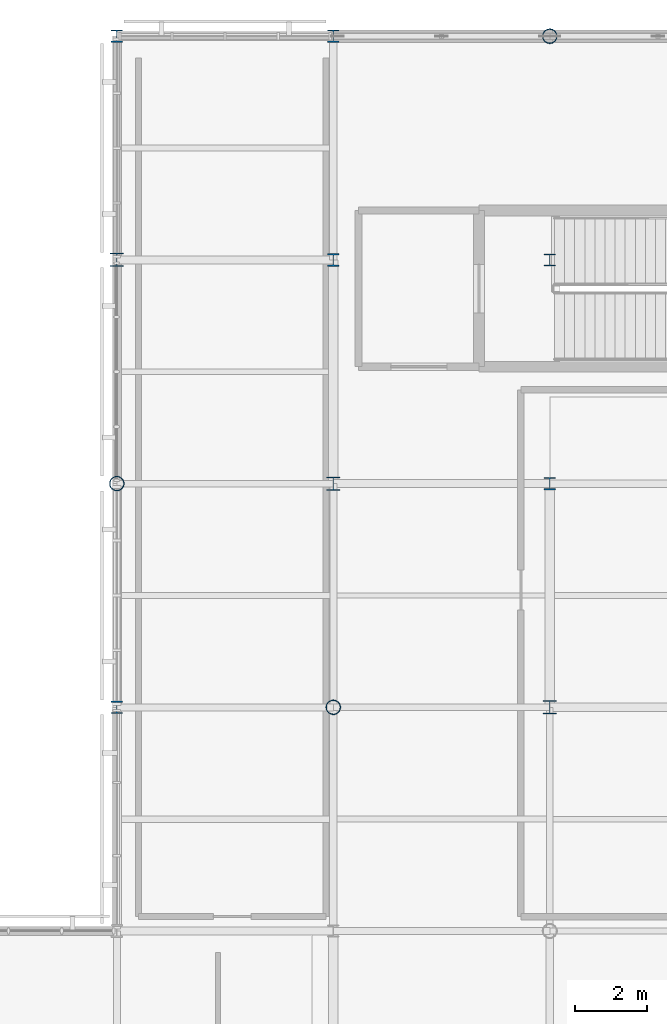
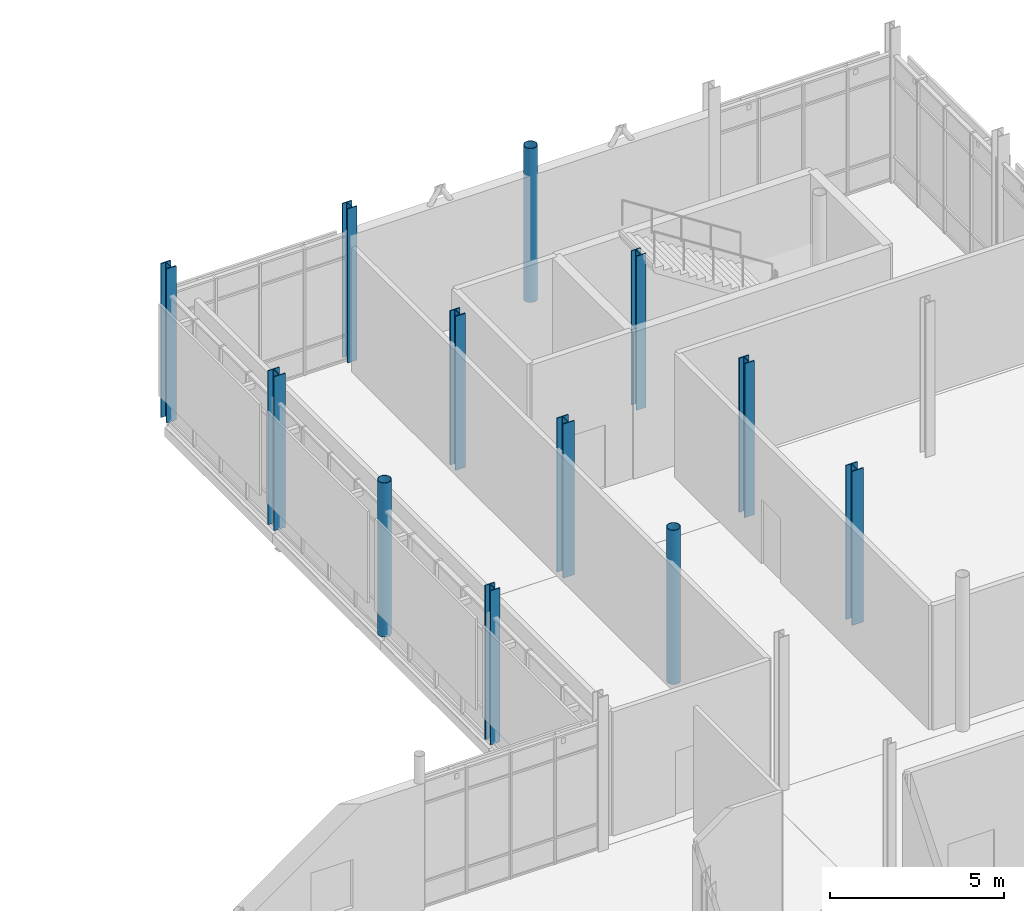
# One storey, part 12 of 105: 12 columns.
"""IFC4 building model written with IfcOpenShell, lengths in metres."""

import ifcopenshell
import ifcopenshell.guid

model = None  # the IFC model being written
_history = None  # IfcOwnerHistory: only IFC2X3 demands one
_inside = {}  # id of a spatial element -> (the spatial element, [elements in it])
_under = {}  # id of a project, library or spatial element -> (it, [spatial elements below it])
_declared = {}  # id of a project -> (the project, [libraries it declares])
_typed = {}  # id of a type object -> (the type object, [elements of that type])
_made_of = {}  # id of a material, layer set ... -> (it, [elements and type objects made of it])


def new_model(schema):
    """Start an empty IFC model of exactly this schema.

    Asked for "IFC4X3", IfcOpenShell would pick the latest addendum, in which some entities
    have other attributes; the version numbers below select the first issue.
    IFC2X3 requires an IfcOwnerHistory on every rooted entity: one is made here for all.
    """
    global model, _history
    if schema == "IFC4X3":
        model = ifcopenshell.file(schema_version=(4, 3, 0, 0))
    else:
        model = ifcopenshell.file(schema=schema)
    _inside.clear()
    _under.clear()
    _declared.clear()
    _typed.clear()
    _made_of.clear()
    _history = None
    if model.schema == "IFC2X3":
        org = make("IfcOrganization", Name="unknown")
        user = make(
            "IfcPersonAndOrganization",
            ThePerson=make("IfcPerson", FamilyName="unknown"),
            TheOrganization=org,
        )
        app = make(
            "IfcApplication",
            ApplicationDeveloper=org,
            Version="unknown",
            ApplicationFullName="unknown",
            ApplicationIdentifier="unknown",
        )
        _history = make(
            "IfcOwnerHistory",
            OwningUser=user,
            OwningApplication=app,
            ChangeAction="ADDED",
            CreationDate=0,
        )
    return model


def make(cls, **values):
    """One entity of the class cls with the attributes given. An attribute that is None is left unset."""
    return model.create_entity(
        cls, **{name: value for name, value in values.items() if value is not None}
    )


def rooted(cls, **values):
    """An entity with a GlobalId (a new one), such as an element, a storey or a relation."""
    return make(cls, GlobalId=ifcopenshell.guid.new(), OwnerHistory=_history, **values)


def si_unit(unit_type, name, prefix=None):
    """IfcSIUnit, for example si_unit("LENGTHUNIT", "METRE", prefix="MILLI")."""
    return make("IfcSIUnit", UnitType=unit_type, Prefix=prefix, Name=name)


def assignment(units):
    """IfcUnitAssignment: the units of a project."""
    return None if units is None else make("IfcUnitAssignment", Units=units)


def point(xyz):
    """IfcCartesianPoint."""
    return None if xyz is None else make("IfcCartesianPoint", Coordinates=xyz)


def direction(xyz):
    """IfcDirection."""
    return None if xyz is None else make("IfcDirection", DirectionRatios=xyz)


def frame(location, z_axis=None, x_axis=None):
    """IfcAxis2Placement3D, a coordinate frame: its origin and axes. An axis left out is left unset."""
    return make(
        "IfcAxis2Placement3D",
        Location=point(location),
        Axis=direction(z_axis),
        RefDirection=direction(x_axis),
    )


def frame_2d(location, x_axis=None):
    """IfcAxis2Placement2D, a coordinate frame in the plane: its origin and x axis."""
    return make(
        "IfcAxis2Placement2D", Location=point(location), RefDirection=direction(x_axis)
    )


def origin():
    """The frame at (0, 0, 0) with its axes left unset."""
    return frame((0.0, 0.0, 0.0))


def origin_2d():
    """The frame at (0, 0) in the plane with its x axis left unset."""
    return frame_2d((0.0, 0.0))


def place(relative_to, where):
    """IfcLocalPlacement: puts the frame where relative to a parent placement (None: the world)."""
    return make(
        "IfcLocalPlacement", PlacementRelTo=relative_to, RelativePlacement=where
    )


def context(
    kind, dimensions, precision=None, world=None, true_north=None, identifier=None
):
    """IfcGeometricRepresentationContext, for example the 3D "Model" context."""
    return make(
        "IfcGeometricRepresentationContext",
        ContextIdentifier=identifier,
        ContextType=kind,
        CoordinateSpaceDimension=dimensions,
        Precision=precision,
        WorldCoordinateSystem=world,
        TrueNorth=true_north,
    )


def subcontext(parent, identifier, kind, view, scale=None):
    """IfcGeometricRepresentationSubContext, for example "Body" below "Model"."""
    return make(
        "IfcGeometricRepresentationSubContext",
        ContextIdentifier=identifier,
        ContextType=kind,
        ParentContext=parent,
        TargetScale=scale,
        TargetView=view,
    )


def project(units=None, contexts=None):
    """IfcProject with its units and contexts."""
    return rooted(
        "IfcProject",
        Name="project",
        RepresentationContexts=contexts,
        UnitsInContext=assignment(units),
    )


def spatial(cls, under=None, at=None, **own):
    """A site, building, storey or space (cls), placed at a placement, below another one or the project."""
    s = rooted(cls, ObjectPlacement=at, **own)
    if under is not None:
        _under.setdefault(under.id(), (under, []))[1].append(s)
    return s


def profile(cls, at=None, kind="AREA", **sizes):
    """A parametric profile (cls). Its sizes go by their IFC names, for example OverallWidth=200.0."""
    return make(cls, ProfileType=kind, Position=at, **sizes)


def hollow_circle(**sizes):
    """IfcCircleHollowProfileDef."""
    return profile("IfcCircleHollowProfileDef", **sizes)


def i_section(**sizes):
    """IfcIShapeProfileDef."""
    return profile("IfcIShapeProfileDef", **sizes)


def extrude(swept, where, along, depth):
    """IfcExtrudedAreaSolid: the profile swept, set in the frame where, extruded along a direction by depth."""
    return make(
        "IfcExtrudedAreaSolid",
        SweptArea=swept,
        Position=where,
        ExtrudedDirection=direction(along),
        Depth=depth,
    )


def shape(context_of_items, identifier, shape_type, items):
    """IfcShapeRepresentation: the items that make up one representation, for example the "Body"."""
    return make(
        "IfcShapeRepresentation",
        ContextOfItems=context_of_items,
        RepresentationIdentifier=identifier,
        RepresentationType=shape_type,
        Items=items,
    )


def material(Name=None, Category=None):
    """IfcMaterial."""
    return make("IfcMaterial", Name=Name, Category=Category)


def material_profile(
    of_material, cross_section, Name=None, Category=None, Priority=None
):
    """IfcMaterialProfile: a cross section and its material."""
    return make(
        "IfcMaterialProfile",
        Name=Name,
        Material=of_material,
        Profile=cross_section,
        Priority=Priority,
        Category=Category,
    )


def profile_set(profiles, Name=None, composite=None):
    """IfcMaterialProfileSet."""
    return make(
        "IfcMaterialProfileSet",
        Name=Name,
        MaterialProfiles=profiles,
        CompositeProfile=composite,
    )


def made_of(thing, what):
    """Note that an element or type object is made of a material, layer set ...; save() writes the relation."""
    if what is not None:
        _made_of.setdefault(what.id(), (what, []))[1].append(thing)
    return thing


def type_object(cls, material=None, **own):
    """A type object (cls), such as IfcWallType, which elements share."""
    return made_of(rooted(cls, **own), material)


def element(
    cls,
    number,
    at=None,
    inside=None,
    cuts=None,
    type_object=None,
    material=None,
    context=None,
    identifier="Body",
    shape_type=None,
    held_by="IfcProductDefinitionShape",
    body=None,
    shapes=None,
    **own,
):
    """One element of the class cls, such as IfcWall. Its Tag is "e" and its number.

    at: its placement. inside: the storey or other place that contains it. cuts: it is an
    opening in that element (IfcRelVoidsElement). A single representation is given by context,
    identifier, shape_type and body (its items); several are given by shapes. held_by: the class
    of the entity that holds the representations. save() writes the other relations.
    """
    e = rooted(cls, Tag="e%d" % number, ObjectPlacement=at, **own)
    if body is not None:
        shapes = [shape(context, identifier, shape_type, body)]
    if shapes is not None:
        e.Representation = make(held_by, Representations=shapes)
    if inside is not None:
        _inside.setdefault(inside.id(), (inside, []))[1].append(e)
    if cuts is not None:
        rooted(
            "IfcRelVoidsElement", RelatingBuildingElement=cuts, RelatedOpeningElement=e
        )
    if type_object is not None:
        _typed.setdefault(type_object.id(), (type_object, []))[1].append(e)
    return made_of(e, material)


def aggregate(whole, parts):
    """IfcRelAggregates: a whole, such as a stair, and the parts it consists of."""
    return rooted("IfcRelAggregates", RelatingObject=whole, RelatedObjects=parts)


def save(model, path):
    """Write the relations noted so far, then the file.

    IfcRelAggregates (storeys below a building ...), IfcRelContainedInSpatialStructure (elements
    in a storey), IfcRelDefinesByType, IfcRelAssociatesMaterial and IfcRelDeclares: one each for
    every whole, place, type object, material and project.
    """
    for whole, parts in _under.values():
        aggregate(whole, parts)
    for where, things in _inside.values():
        rooted(
            "IfcRelContainedInSpatialStructure",
            RelatedElements=things,
            RelatingStructure=where,
        )
    for kind, things in _typed.values():
        rooted("IfcRelDefinesByType", RelatedObjects=things, RelatingType=kind)
    for what, things in _made_of.values():
        rooted("IfcRelAssociatesMaterial", RelatedObjects=things, RelatingMaterial=what)
    for by, libraries in _declared.values():
        rooted("IfcRelDeclares", RelatingContext=by, RelatedDefinitions=libraries)
    model.write(path)


model = new_model("IFC4")

# Units and contexts
model_context = context("Model", 3, precision=1e-05, world=origin(), true_north=direction((0.0, 1.0)))
body_context = subcontext(model_context, "Body", "Model", "MODEL_VIEW")
ifc_project = project(units=[si_unit("LENGTHUNIT", "METRE"), si_unit("AREAUNIT", "SQUARE_METRE"), si_unit("VOLUMEUNIT", "CUBIC_METRE"), si_unit("PLANEANGLEUNIT", "RADIAN"), si_unit("MASSUNIT", "GRAM", prefix="KILO")], contexts=[model_context])

# Site, building, storey
site_placement = place(None, origin())
site = spatial("IfcSite", under=ifc_project, at=site_placement, CompositionType="ELEMENT")
building_placement = place(site_placement, origin())
building = spatial("IfcBuilding", under=site, at=building_placement, Name="Mirzam Square Science Centre", CompositionType="ELEMENT")
storey_placement = place(building_placement, frame((0.0, 0.0, 5.39990234375)))
storey = spatial("IfcBuildingStorey", under=building, at=storey_placement, Name="L01", CompositionType="ELEMENT", Elevation=5.39990234375)

# Columns
ifc_material = material(Name="Steel S355", Category="steel")
ifc_material_profile_1 = material_profile(ifc_material, hollow_circle(Radius=0.203125, WallThickness=0.01611328125, at=origin_2d()), Name="406.4x16.0CHS")
ifc_profile_set_1 = profile_set([ifc_material_profile_1], Name="Steel S355")
column_type_1 = type_object("IfcColumnType", Name="COL-CHS406", PredefinedType="COLUMN", material=ifc_profile_set_1)
for number, where, z_axis, x_axis, name in (
    (1, (114.0, 99.199951171875, 0.0), (0.0, 0.0, 1.0), (1.0, 0.0, 0.0), "L01 column G20-17"),
    (2, (120.0, 93.0, 0.0), (0.0, 0.0, 1.0), (1.0, 0.0, 0.0), "L01 column G21-16"),
    (3, (126.0, 111.60009765625, 0.0), (0.0, 0.0, 1.0), (1.0, 0.0, 0.0), "L01 column G22-19"),
):
    element("IfcColumn", number, at=place(storey_placement, frame(where, z_axis=z_axis, x_axis=x_axis)), inside=storey, type_object=column_type_1, Name=name, PredefinedType="COLUMN", context=body_context, shape_type="SweptSolid", body=[
        extrude(hollow_circle(Radius=0.203125, WallThickness=0.01611328125, at=origin_2d()), origin(), (0.0, 0.0, 1.0), 5.400146484375),
    ])
ifc_material_profile_2 = material_profile(ifc_material, i_section(OverallWidth=0.314453125, OverallDepth=0.33984375, WebThickness=0.01904296875, FlangeThickness=0.031494140625, FilletRadius=0.01513671875, at=origin_2d()), Name="305x305x198UC")
ifc_profile_set_2 = profile_set([ifc_material_profile_2], Name="Steel S355")
column_type_2 = type_object("IfcColumnType", Name="COL-UC305B", PredefinedType="COLUMN", material=ifc_profile_set_2)
for number, where, z_axis, x_axis, name in (
    (4, (114.0, 93.0, 0.0), (0.0, 0.0, 1.0), (1.0, 0.0, 0.0), "L01 column G20-16"),
    (5, (120.0, 111.60009765625, 0.0), (0.0, 0.0, 1.0), (1.0, 0.0, 0.0), "L01 column G21-19"),
    (6, (126.0, 105.39990234375, 0.0), (0.0, 0.0, 1.0), (1.0, 0.0, 0.0), "L01 column G22-18"),
):
    element("IfcColumn", number, at=place(storey_placement, frame(where, z_axis=z_axis, x_axis=x_axis)), inside=storey, type_object=column_type_2, Name=name, PredefinedType="COLUMN", context=body_context, shape_type="SweptSolid", body=[
        extrude(i_section(OverallWidth=0.314453125, OverallDepth=0.33984375, WebThickness=0.01904296875, FlangeThickness=0.031494140625, FilletRadius=0.01513671875, at=origin_2d()), origin(), (0.0, 0.0, 1.0), 5.400146484375),
    ])
ifc_material_profile_3 = material_profile(ifc_material, i_section(OverallWidth=0.318359375, OverallDepth=0.3525390625, WebThickness=0.02294921875, FlangeThickness=0.03759765625, FilletRadius=0.01513671875, at=origin_2d()), Name="305x305x240UC")
ifc_profile_set_3 = profile_set([ifc_material_profile_3], Name="Steel S355")
column_type_3 = type_object("IfcColumnType", Name="COL-UC305C", PredefinedType="COLUMN", material=ifc_profile_set_3)
for number, where, z_axis, x_axis, name in (
    (7, (114.0, 111.60009765625, 0.0), (0.0, 0.0, 1.0), (1.0, 0.0, 0.0), "L01 column G20-19"),
    (8, (120.0, 105.39990234375, 0.0), (0.0, 0.0, 1.0), (1.0, 0.0, 0.0), "L01 column G21-18"),
    (9, (126.0, 99.199951171875, 0.0), (0.0, 0.0, 1.0), (1.0, 0.0, 0.0), "L01 column G22-17"),
):
    element("IfcColumn", number, at=place(storey_placement, frame(where, z_axis=z_axis, x_axis=x_axis)), inside=storey, type_object=column_type_3, Name=name, PredefinedType="COLUMN", context=body_context, shape_type="SweptSolid", body=[
        extrude(i_section(OverallWidth=0.318359375, OverallDepth=0.3525390625, WebThickness=0.02294921875, FlangeThickness=0.03759765625, FilletRadius=0.01513671875, at=origin_2d()), origin(), (0.0, 0.0, 1.0), 5.400146484375),
    ])
ifc_material_profile_4 = material_profile(ifc_material, i_section(OverallWidth=0.374755859375, OverallDepth=0.37451171875, WebThickness=0.0166015625, FlangeThickness=0.027099609375, FilletRadius=0.01513671875, at=origin_2d()), Name="356x368x202UC")
ifc_profile_set_4 = profile_set([ifc_material_profile_4], Name="Steel S355")
column_type_4 = type_object("IfcColumnType", Name="COL-UC356A", PredefinedType="COLUMN", material=ifc_profile_set_4)
for number, where, z_axis, x_axis, name in (
    (10, (114.0, 105.39990234375, 0.0), (0.0, 0.0, 1.0), (1.0, 0.0, 0.0), "L01 column G20-18"),
    (11, (120.0, 99.199951171875, 0.0), (0.0, 0.0, 1.0), (1.0, 0.0, 0.0), "L01 column G21-17"),
    (12, (126.0, 93.0, 0.0), (0.0, 0.0, 1.0), (1.0, 0.0, 0.0), "L01 column G22-16"),
):
    element("IfcColumn", number, at=place(storey_placement, frame(where, z_axis=z_axis, x_axis=x_axis)), inside=storey, type_object=column_type_4, Name=name, PredefinedType="COLUMN", context=body_context, shape_type="SweptSolid", body=[
        extrude(i_section(OverallWidth=0.374755859375, OverallDepth=0.37451171875, WebThickness=0.0166015625, FlangeThickness=0.027099609375, FilletRadius=0.01513671875, at=origin_2d()), origin(), (0.0, 0.0, 1.0), 5.400146484375),
    ])

save(model, "model.ifc")
